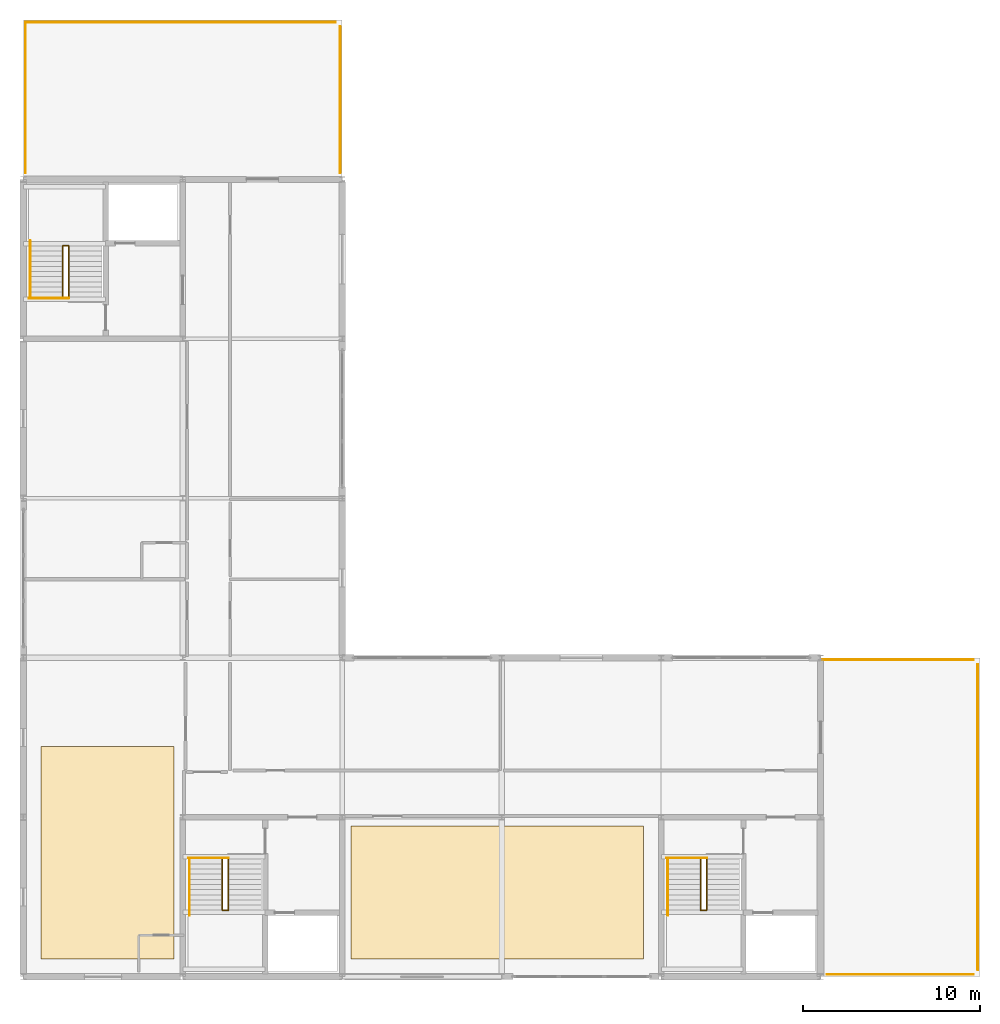
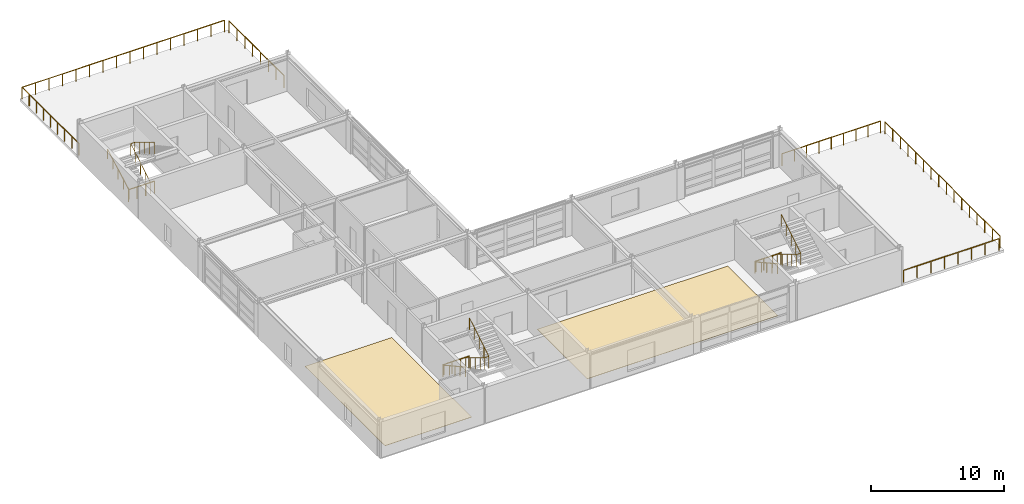
# One storey, part 11 of 11: 15 railings, 2 coverings.
"""IFC4 building model written with IfcOpenShell, lengths in metres."""

from ifc_helpers import new_model, si_unit, direction, frame, origin, origin_2d, place, context, subcontext, project, spatial, polyline, circle, outline, extrude, material, layer, layer_set, type_object, element, save


model = new_model("IFC4")

# Units and contexts
model_context = context("Model", 3, precision=1e-05, world=origin(), true_north=direction((0.0, 1.0)))
body_context = subcontext(model_context, "Body", "Model", "MODEL_VIEW")
ifc_project = project(units=[si_unit("LENGTHUNIT", "METRE"), si_unit("AREAUNIT", "SQUARE_METRE"), si_unit("VOLUMEUNIT", "CUBIC_METRE"), si_unit("PLANEANGLEUNIT", "RADIAN"), si_unit("MASSUNIT", "GRAM", prefix="KILO")], contexts=[model_context])

# Site, building, storey
site_placement = place(None, origin())
site = spatial("IfcSite", under=ifc_project, at=site_placement, CompositionType="ELEMENT")
building_placement = place(site_placement, origin())
building = spatial("IfcBuilding", under=site, at=building_placement, Name="Palais des Congres Ocreval", CompositionType="ELEMENT")
storey_placement = place(building_placement, frame((0.0, 0.0, 26.8798828125)))
storey = spatial("IfcBuildingStorey", under=building, at=storey_placement, Name="L08", CompositionType="ELEMENT", Elevation=26.8798828125)

# Railings
ifc_material_1 = material(Name="Anodized bronze aluminium", Category="aluminium")
railing_type_1 = type_object("IfcRailingType", Name="Bronze Stair and Ramp Handrail 900", PredefinedType="HANDRAIL", material=ifc_material_1)
for number, where, name in (
    (1, (9.3798828125, 6.64990234375, 0.16015625), "Stair Wall Handrail ST01 L08"),
    (2, (36.3798828125, 6.64990234375, 0.16015625), "Stair Wall Handrail ST02 L08"),
):
    element("IfcRailing", number, at=place(storey_placement, frame(where)), inside=storey, type_object=railing_type_1, Name=name, PredefinedType="HANDRAIL", context=body_context, shape_type="SweptSolid", body=[
        extrude(circle(Radius=0.02392578125, at=origin_2d()), frame((0.0, 0.0, 0.8759765625), z_axis=(0.0, -0.875572797087, 0.483086200383), x_axis=(1.0, 0.0, 0.0)), (0.0, 0.0, 1.0), 3.643310546875),
        extrude(circle(Radius=0.02099609375, at=origin_2d()), origin(), (0.0, 0.0, 1.0), 0.851806640625),
        extrude(circle(Radius=0.02099609375, at=origin_2d()), frame((0.0, -0.79736328125, 0.43994140625)), (0.0, 0.0, 1.0), 0.851806640625),
        extrude(circle(Radius=0.02099609375, at=origin_2d()), frame((0.0, -1.594970703125, 0.8798828125)), (0.0, 0.0, 1.0), 0.851806640625),
        extrude(circle(Radius=0.02099609375, at=origin_2d()), frame((0.0, -2.392578125, 1.320068359375)), (0.0, 0.0, 1.0), 0.851806640625),
        extrude(circle(Radius=0.02099609375, at=origin_2d()), frame((0.0, -3.18994140625, 1.760009765625)), (0.0, 0.0, 1.0), 0.851806640625),
    ])
railing_1_placement = place(storey_placement, frame((0.3798828125, 38.35009765625, 0.16015625)))
element("IfcRailing", 3, at=railing_1_placement, inside=storey, type_object=railing_type_1, Name="Stair Wall Handrail ST03 L08", PredefinedType="HANDRAIL", context=body_context, shape_type="SweptSolid", body=[
    extrude(circle(Radius=0.02392578125, at=origin_2d()), frame((0.0, 0.0, 0.8759765625), z_axis=(0.0, 0.875572797087, 0.483086200383), x_axis=(-1.0, 0.0, 0.0)), (0.0, 0.0, 1.0), 3.643310546875),
    extrude(circle(Radius=0.02099609375, at=origin_2d()), origin(), (0.0, 0.0, 1.0), 0.851806640625),
    extrude(circle(Radius=0.02099609375, at=origin_2d()), frame((0.0, 0.79736328125, 0.43994140625)), (0.0, 0.0, 1.0), 0.851806640625),
    extrude(circle(Radius=0.02099609375, at=origin_2d()), frame((0.0, 1.594970703125, 0.8798828125)), (0.0, 0.0, 1.0), 0.851806640625),
    extrude(circle(Radius=0.02099609375, at=origin_2d()), frame((0.0, 2.392578125, 1.320068359375)), (0.0, 0.0, 1.0), 0.851806640625),
    extrude(circle(Radius=0.02099609375, at=origin_2d()), frame((0.0, 3.18994140625, 1.760009765625)), (0.0, 0.0, 1.0), 0.851806640625),
])

# Coverings
ifc_material_2 = material(Name="Solid French oak", Category="wood")
ifc_layer = layer(ifc_material_2, 0.02490234375)
ifc_layer_set = layer_set([ifc_layer], Name="French Oak and Lutetian Stone Flooring 25 (Solid French oak)")
covering_type = type_object("IfcCoveringType", Name="French Oak and Lutetian Stone Flooring 25", PredefinedType="FLOORING", material=ifc_layer_set)
covering_1_placement = place(storey_placement, origin())
element("IfcCovering", 4, at=covering_1_placement, inside=storey, type_object=covering_type, Name="Presidential Suite Herringbone Oak Flooring", PredefinedType="FLOORING", context=body_context, shape_type="SweptSolid", body=[
    extrude(outline(polyline([(1.0, 1.0), (8.5, 1.0), (8.5, 13.0), (1.0, 13.0), (1.0, 1.0)])), origin(), (0.0, 0.0, 1.0), 0.025146484375),
])
covering_2_placement = place(storey_placement, origin())
element("IfcCovering", 5, at=covering_2_placement, inside=storey, type_object=covering_type, Name="Panoramic Restaurant Stone and Oak Flooring", PredefinedType="FLOORING", context=body_context, shape_type="SweptSolid", body=[
    extrude(outline(polyline([(18.5, 1.0), (35.0, 1.0), (35.0, 8.5), (18.5, 8.5), (18.5, 1.0)])), origin(), (0.0, 0.0, 1.0), 0.025146484375),
])

# Railings
ifc_material_3 = material(Name="Steel S355", Category="steel")
railing_type_2 = type_object("IfcRailingType", Name="Stairwell Steel Guardrail 1100", PredefinedType="GUARDRAIL", material=ifc_material_3)
railing_2_placement = place(storey_placement, frame((9.320068359375, 6.699951171875, 0.0)))
element("IfcRailing", 6, at=railing_2_placement, inside=storey, type_object=railing_type_2, Name="Stairwell Landing Edge Guard ST01 L08", PredefinedType="GUARDRAIL", context=body_context, shape_type="SweptSolid", body=[
    extrude(circle(Radius=0.02392578125, at=origin_2d()), frame((0.0, 0.0, 1.076171875), z_axis=(1.0, 0.0, 0.0), x_axis=(0.0, 1.0, 0.0)), (0.0, 0.0, 1.0), 2.25),
    extrude(circle(Radius=0.02099609375, at=origin_2d()), origin(), (0.0, 0.0, 1.0), 1.052001953125),
    extrude(circle(Radius=0.02099609375, at=origin_2d()), frame((0.75, 0.0, 0.0)), (0.0, 0.0, 1.0), 1.052001953125),
    extrude(circle(Radius=0.02099609375, at=origin_2d()), frame((1.5, 0.0, 0.0)), (0.0, 0.0, 1.0), 1.052001953125),
    extrude(circle(Radius=0.02099609375, at=origin_2d()), frame((2.25, 0.0, 0.0)), (0.0, 0.0, 1.0), 1.052001953125),
])
railing_3_placement = place(storey_placement, frame((11.22998046875, 6.64990234375, 0.0)))
element("IfcRailing", 7, at=railing_3_placement, inside=storey, type_object=railing_type_2, Name="Stair Inner Guardrail ST01 L08", PredefinedType="GUARDRAIL", context=body_context, shape_type="SweptSolid", body=[
    extrude(circle(Radius=0.02392578125, at=origin_2d()), frame((0.0, 0.0, 1.076171875), z_axis=(0.0, -0.854871883751, 0.518839148843), x_axis=(1.0, 0.0, 0.0)), (0.0, 0.0, 1.0), 3.39208984375),
    extrude(circle(Radius=0.02392578125, at=origin_2d()), frame((0.0, -2.89990234375, 2.8359375), z_axis=(1.0, 0.0, 0.0), x_axis=(0.0, 1.0, 0.0)), (0.0, 0.0, 1.0), 0.340087890625),
    extrude(circle(Radius=0.02392578125, at=origin_2d()), frame((0.340087890625, -2.89990234375, 2.8359375), z_axis=(0.0, 0.854871883751, 0.518839148843), x_axis=(-1.0, 0.0, 0.0)), (0.0, 0.0, 1.0), 3.39208984375),
    extrude(circle(Radius=0.02099609375, at=origin_2d()), origin(), (0.0, 0.0, 1.0), 1.052001953125),
    extrude(circle(Radius=0.02099609375, at=origin_2d()), frame((0.0, -0.72509765625, 0.43994140625)), (0.0, 0.0, 1.0), 1.052001953125),
    extrude(circle(Radius=0.02099609375, at=origin_2d()), frame((0.0, -1.449951171875, 0.8798828125)), (0.0, 0.0, 1.0), 1.052001953125),
    extrude(circle(Radius=0.02099609375, at=origin_2d()), frame((0.0, -2.1748046875, 1.320068359375)), (0.0, 0.0, 1.0), 1.052001953125),
    extrude(circle(Radius=0.02099609375, at=origin_2d()), frame((0.0, -2.89990234375, 1.760009765625)), (0.0, 0.0, 1.0), 1.052001953125),
    extrude(circle(Radius=0.02099609375, at=origin_2d()), frame((0.340087890625, -2.89990234375, 1.760009765625)), (0.0, 0.0, 1.0), 1.052001953125),
    extrude(circle(Radius=0.02099609375, at=origin_2d()), frame((0.340087890625, -2.1748046875, 2.199951171875)), (0.0, 0.0, 1.0), 1.052001953125),
    extrude(circle(Radius=0.02099609375, at=origin_2d()), frame((0.340087890625, -1.449951171875, 2.64013671875)), (0.0, 0.0, 1.0), 1.052001953125),
    extrude(circle(Radius=0.02099609375, at=origin_2d()), frame((0.340087890625, -0.72509765625, 3.080078125)), (0.0, 0.0, 1.0), 1.052001953125),
    extrude(circle(Radius=0.02099609375, at=origin_2d()), frame((0.340087890625, 0.0, 3.52001953125)), (0.0, 0.0, 1.0), 1.052001953125),
])
railing_4_placement = place(storey_placement, frame((36.320068359375, 6.699951171875, 0.0)))
element("IfcRailing", 8, at=railing_4_placement, inside=storey, type_object=railing_type_2, Name="Stairwell Landing Edge Guard ST02 L08", PredefinedType="GUARDRAIL", context=body_context, shape_type="SweptSolid", body=[
    extrude(circle(Radius=0.02392578125, at=origin_2d()), frame((0.0, 0.0, 1.076171875), z_axis=(1.0, 0.0, 0.0), x_axis=(0.0, 1.0, 0.0)), (0.0, 0.0, 1.0), 2.25),
    extrude(circle(Radius=0.02099609375, at=origin_2d()), origin(), (0.0, 0.0, 1.0), 1.052001953125),
    extrude(circle(Radius=0.02099609375, at=origin_2d()), frame((0.75, 0.0, 0.0)), (0.0, 0.0, 1.0), 1.052001953125),
    extrude(circle(Radius=0.02099609375, at=origin_2d()), frame((1.5, 0.0, 0.0)), (0.0, 0.0, 1.0), 1.052001953125),
    extrude(circle(Radius=0.02099609375, at=origin_2d()), frame((2.25, 0.0, 0.0)), (0.0, 0.0, 1.0), 1.052001953125),
])
railing_5_placement = place(storey_placement, frame((38.22998046875, 6.64990234375, 0.0)))
element("IfcRailing", 9, at=railing_5_placement, inside=storey, type_object=railing_type_2, Name="Stair Inner Guardrail ST02 L08", PredefinedType="GUARDRAIL", context=body_context, shape_type="SweptSolid", body=[
    extrude(circle(Radius=0.02392578125, at=origin_2d()), frame((0.0, 0.0, 1.076171875), z_axis=(0.0, -0.854871883751, 0.518839148843), x_axis=(1.0, 0.0, 0.0)), (0.0, 0.0, 1.0), 3.39208984375),
    extrude(circle(Radius=0.02392578125, at=origin_2d()), frame((0.0, -2.89990234375, 2.8359375), z_axis=(1.0, 0.0, 0.0), x_axis=(0.0, 1.0, 0.0)), (0.0, 0.0, 1.0), 0.340087890625),
    extrude(circle(Radius=0.02392578125, at=origin_2d()), frame((0.340087890625, -2.89990234375, 2.8359375), z_axis=(0.0, 0.854871883751, 0.518839148843), x_axis=(-1.0, 0.0, 0.0)), (0.0, 0.0, 1.0), 3.39208984375),
    extrude(circle(Radius=0.02099609375, at=origin_2d()), origin(), (0.0, 0.0, 1.0), 1.052001953125),
    extrude(circle(Radius=0.02099609375, at=origin_2d()), frame((0.0, -0.72509765625, 0.43994140625)), (0.0, 0.0, 1.0), 1.052001953125),
    extrude(circle(Radius=0.02099609375, at=origin_2d()), frame((0.0, -1.449951171875, 0.8798828125)), (0.0, 0.0, 1.0), 1.052001953125),
    extrude(circle(Radius=0.02099609375, at=origin_2d()), frame((0.0, -2.1748046875, 1.320068359375)), (0.0, 0.0, 1.0), 1.052001953125),
    extrude(circle(Radius=0.02099609375, at=origin_2d()), frame((0.0, -2.89990234375, 1.760009765625)), (0.0, 0.0, 1.0), 1.052001953125),
    extrude(circle(Radius=0.02099609375, at=origin_2d()), frame((0.340087890625, -2.89990234375, 1.760009765625)), (0.0, 0.0, 1.0), 1.052001953125),
    extrude(circle(Radius=0.02099609375, at=origin_2d()), frame((0.340087890625, -2.1748046875, 2.199951171875)), (0.0, 0.0, 1.0), 1.052001953125),
    extrude(circle(Radius=0.02099609375, at=origin_2d()), frame((0.340087890625, -1.449951171875, 2.64013671875)), (0.0, 0.0, 1.0), 1.052001953125),
    extrude(circle(Radius=0.02099609375, at=origin_2d()), frame((0.340087890625, -0.72509765625, 3.080078125)), (0.0, 0.0, 1.0), 1.052001953125),
    extrude(circle(Radius=0.02099609375, at=origin_2d()), frame((0.340087890625, 0.0, 3.52001953125)), (0.0, 0.0, 1.0), 1.052001953125),
])
railing_6_placement = place(storey_placement, frame((0.320068359375, 38.300048828125, 0.0)))
element("IfcRailing", 10, at=railing_6_placement, inside=storey, type_object=railing_type_2, Name="Stairwell Landing Edge Guard ST03 L08", PredefinedType="GUARDRAIL", context=body_context, shape_type="SweptSolid", body=[
    extrude(circle(Radius=0.02392578125, at=origin_2d()), frame((0.0, 0.0, 1.076171875), z_axis=(1.0, 0.0, 0.0), x_axis=(0.0, 1.0, 0.0)), (0.0, 0.0, 1.0), 2.25),
    extrude(circle(Radius=0.02099609375, at=origin_2d()), origin(), (0.0, 0.0, 1.0), 1.052001953125),
    extrude(circle(Radius=0.02099609375, at=origin_2d()), frame((0.75, 0.0, 0.0)), (0.0, 0.0, 1.0), 1.052001953125),
    extrude(circle(Radius=0.02099609375, at=origin_2d()), frame((1.5, 0.0, 0.0)), (0.0, 0.0, 1.0), 1.052001953125),
    extrude(circle(Radius=0.02099609375, at=origin_2d()), frame((2.25, 0.0, 0.0)), (0.0, 0.0, 1.0), 1.052001953125),
])
railing_7_placement = place(storey_placement, frame((2.22998046875, 38.35009765625, 0.0)))
element("IfcRailing", 11, at=railing_7_placement, inside=storey, type_object=railing_type_2, Name="Stair Inner Guardrail ST03 L08", PredefinedType="GUARDRAIL", context=body_context, shape_type="SweptSolid", body=[
    extrude(circle(Radius=0.02392578125, at=origin_2d()), frame((0.0, 0.0, 1.076171875), z_axis=(0.0, 0.854871883751, 0.518839148843), x_axis=(-1.0, 0.0, 0.0)), (0.0, 0.0, 1.0), 3.39208984375),
    extrude(circle(Radius=0.02392578125, at=origin_2d()), frame((0.0, 2.89990234375, 2.8359375), z_axis=(1.0, 0.0, 0.0), x_axis=(0.0, 1.0, 0.0)), (0.0, 0.0, 1.0), 0.340087890625),
    extrude(circle(Radius=0.02392578125, at=origin_2d()), frame((0.340087890625, 2.89990234375, 2.8359375), z_axis=(0.0, -0.854871883751, 0.518839148843), x_axis=(1.0, 0.0, 0.0)), (0.0, 0.0, 1.0), 3.39208984375),
    extrude(circle(Radius=0.02099609375, at=origin_2d()), origin(), (0.0, 0.0, 1.0), 1.052001953125),
    extrude(circle(Radius=0.02099609375, at=origin_2d()), frame((0.0, 0.72509765625, 0.43994140625)), (0.0, 0.0, 1.0), 1.052001953125),
    extrude(circle(Radius=0.02099609375, at=origin_2d()), frame((0.0, 1.449951171875, 0.8798828125)), (0.0, 0.0, 1.0), 1.052001953125),
    extrude(circle(Radius=0.02099609375, at=origin_2d()), frame((0.0, 2.1748046875, 1.320068359375)), (0.0, 0.0, 1.0), 1.052001953125),
    extrude(circle(Radius=0.02099609375, at=origin_2d()), frame((0.0, 2.89990234375, 1.760009765625)), (0.0, 0.0, 1.0), 1.052001953125),
    extrude(circle(Radius=0.02099609375, at=origin_2d()), frame((0.340087890625, 2.89990234375, 1.760009765625)), (0.0, 0.0, 1.0), 1.052001953125),
    extrude(circle(Radius=0.02099609375, at=origin_2d()), frame((0.340087890625, 2.1748046875, 2.199951171875)), (0.0, 0.0, 1.0), 1.052001953125),
    extrude(circle(Radius=0.02099609375, at=origin_2d()), frame((0.340087890625, 1.449951171875, 2.64013671875)), (0.0, 0.0, 1.0), 1.052001953125),
    extrude(circle(Radius=0.02099609375, at=origin_2d()), frame((0.340087890625, 0.72509765625, 3.080078125)), (0.0, 0.0, 1.0), 1.052001953125),
    extrude(circle(Radius=0.02099609375, at=origin_2d()), frame((0.340087890625, 0.0, 3.52001953125)), (0.0, 0.0, 1.0), 1.052001953125),
])
railing_type_3 = type_object("IfcRailingType", Name="Terrace Bronze Balustrade 1100", PredefinedType="BALUSTRADE", material=ifc_material_1)
railing_8_placement = place(storey_placement, frame((45.3798828125, 0.1201171875, 0.0)))
element("IfcRailing", 12, at=railing_8_placement, inside=storey, type_object=railing_type_3, Name="Terrace Guard Balustrade TER-L08-V4E-1", PredefinedType="BALUSTRADE", context=body_context, shape_type="SweptSolid", body=[
    extrude(circle(Radius=0.02392578125, at=origin_2d()), frame((0.0, 0.0, 1.076171875), z_axis=(1.0, 0.0, 0.0), x_axis=(0.0, 1.0, 0.0)), (0.0, 0.0, 1.0), 8.240234375),
    extrude(circle(Radius=0.02099609375, at=origin_2d()), origin(), (0.0, 0.0, 1.0), 1.052001953125),
    extrude(circle(Radius=0.02099609375, at=origin_2d()), frame((1.17724609375, 0.0, 0.0)), (0.0, 0.0, 1.0), 1.052001953125),
    extrude(circle(Radius=0.02099609375, at=origin_2d()), frame((2.354248046875, 0.0, 0.0)), (0.0, 0.0, 1.0), 1.052001953125),
    extrude(circle(Radius=0.02099609375, at=origin_2d()), frame((3.531494140625, 0.0, 0.0)), (0.0, 0.0, 1.0), 1.052001953125),
    extrude(circle(Radius=0.02099609375, at=origin_2d()), frame((4.708740234375, 0.0, 0.0)), (0.0, 0.0, 1.0), 1.052001953125),
    extrude(circle(Radius=0.02099609375, at=origin_2d()), frame((5.885986328125, 0.0, 0.0)), (0.0, 0.0, 1.0), 1.052001953125),
    extrude(circle(Radius=0.02099609375, at=origin_2d()), frame((7.06298828125, 0.0, 0.0)), (0.0, 0.0, 1.0), 1.052001953125),
    extrude(circle(Radius=0.02099609375, at=origin_2d()), frame((8.240234375, 0.0, 0.0)), (0.0, 0.0, 1.0), 1.052001953125),
])
railing_9_placement = place(storey_placement, frame((53.8798828125, 0.3798828125, 0.0)))
element("IfcRailing", 13, at=railing_9_placement, inside=storey, type_object=railing_type_3, Name="Terrace Guard Balustrade TER-L08-V4E-2", PredefinedType="BALUSTRADE", context=body_context, shape_type="SweptSolid", body=[
    extrude(circle(Radius=0.02392578125, at=origin_2d()), frame((0.0, 0.0, 1.076171875), z_axis=(0.0, 1.0, 0.0), x_axis=(-1.0, 0.0, 0.0)), (0.0, 0.0, 1.0), 17.240234375),
    extrude(circle(Radius=0.02099609375, at=origin_2d()), origin(), (0.0, 0.0, 1.0), 1.052001953125),
    extrude(circle(Radius=0.02099609375, at=origin_2d()), frame((0.0, 1.1494140625, 0.0)), (0.0, 0.0, 1.0), 1.052001953125),
    extrude(circle(Radius=0.02099609375, at=origin_2d()), frame((0.0, 2.298583984375, 0.0)), (0.0, 0.0, 1.0), 1.052001953125),
    extrude(circle(Radius=0.02099609375, at=origin_2d()), frame((0.0, 3.447998046875, 0.0)), (0.0, 0.0, 1.0), 1.052001953125),
    extrude(circle(Radius=0.02099609375, at=origin_2d()), frame((0.0, 4.597412109375, 0.0)), (0.0, 0.0, 1.0), 1.052001953125),
    extrude(circle(Radius=0.02099609375, at=origin_2d()), frame((0.0, 5.746826171875, 0.0)), (0.0, 0.0, 1.0), 1.052001953125),
    extrude(circle(Radius=0.02099609375, at=origin_2d()), frame((0.0, 6.89599609375, 0.0)), (0.0, 0.0, 1.0), 1.052001953125),
    extrude(circle(Radius=0.02099609375, at=origin_2d()), frame((0.0, 8.04541015625, 0.0)), (0.0, 0.0, 1.0), 1.052001953125),
    extrude(circle(Radius=0.02099609375, at=origin_2d()), frame((0.0, 9.19482421875, 0.0)), (0.0, 0.0, 1.0), 1.052001953125),
    extrude(circle(Radius=0.02099609375, at=origin_2d()), frame((0.0, 10.34423828125, 0.0)), (0.0, 0.0, 1.0), 1.052001953125),
    extrude(circle(Radius=0.02099609375, at=origin_2d()), frame((0.0, 11.493408203125, 0.0)), (0.0, 0.0, 1.0), 1.052001953125),
    extrude(circle(Radius=0.02099609375, at=origin_2d()), frame((0.0, 12.642822265625, 0.0)), (0.0, 0.0, 1.0), 1.052001953125),
    extrude(circle(Radius=0.02099609375, at=origin_2d()), frame((0.0, 13.792236328125, 0.0)), (0.0, 0.0, 1.0), 1.052001953125),
    extrude(circle(Radius=0.02099609375, at=origin_2d()), frame((0.0, 14.941650390625, 0.0)), (0.0, 0.0, 1.0), 1.052001953125),
    extrude(circle(Radius=0.02099609375, at=origin_2d()), frame((0.0, 16.0908203125, 0.0)), (0.0, 0.0, 1.0), 1.052001953125),
    extrude(circle(Radius=0.02099609375, at=origin_2d()), frame((0.0, 17.240234375, 0.0)), (0.0, 0.0, 1.0), 1.052001953125),
])
railing_10_placement = place(storey_placement, frame((53.6201171875, 17.8798828125, 0.0)))
element("IfcRailing", 14, at=railing_10_placement, inside=storey, type_object=railing_type_3, Name="Terrace Guard Balustrade TER-L08-V4E-3", PredefinedType="BALUSTRADE", context=body_context, shape_type="SweptSolid", body=[
    extrude(circle(Radius=0.02392578125, at=origin_2d()), frame((0.0, 0.0, 1.076171875), z_axis=(-1.0, 0.0, 0.0), x_axis=(0.0, -1.0, 0.0)), (0.0, 0.0, 1.0), 8.5),
    extrude(circle(Radius=0.02099609375, at=origin_2d()), origin(), (0.0, 0.0, 1.0), 1.052001953125),
    extrude(circle(Radius=0.02099609375, at=origin_2d()), frame((-1.0625, 0.0, 0.0)), (0.0, 0.0, 1.0), 1.052001953125),
    extrude(circle(Radius=0.02099609375, at=origin_2d()), frame((-2.125, 0.0, 0.0)), (0.0, 0.0, 1.0), 1.052001953125),
    extrude(circle(Radius=0.02099609375, at=origin_2d()), frame((-3.1875, 0.0, 0.0)), (0.0, 0.0, 1.0), 1.052001953125),
    extrude(circle(Radius=0.02099609375, at=origin_2d()), frame((-4.25, 0.0, 0.0)), (0.0, 0.0, 1.0), 1.052001953125),
    extrude(circle(Radius=0.02099609375, at=origin_2d()), frame((-5.3125, 0.0, 0.0)), (0.0, 0.0, 1.0), 1.052001953125),
    extrude(circle(Radius=0.02099609375, at=origin_2d()), frame((-6.375, 0.0, 0.0)), (0.0, 0.0, 1.0), 1.052001953125),
    extrude(circle(Radius=0.02099609375, at=origin_2d()), frame((-7.4375, 0.0, 0.0)), (0.0, 0.0, 1.0), 1.052001953125),
    extrude(circle(Radius=0.02099609375, at=origin_2d()), frame((-8.5, 0.0, 0.0)), (0.0, 0.0, 1.0), 1.052001953125),
])
railing_11_placement = place(storey_placement, frame((17.8798828125, 45.3798828125, 0.0)))
element("IfcRailing", 15, at=railing_11_placement, inside=storey, type_object=railing_type_3, Name="Terrace Guard Balustrade TER-L08-V4N-2", PredefinedType="BALUSTRADE", context=body_context, shape_type="SweptSolid", body=[
    extrude(circle(Radius=0.02392578125, at=origin_2d()), frame((0.0, 0.0, 1.076171875), z_axis=(0.0, 1.0, 0.0), x_axis=(-1.0, 0.0, 0.0)), (0.0, 0.0, 1.0), 8.240234375),
    extrude(circle(Radius=0.02099609375, at=origin_2d()), origin(), (0.0, 0.0, 1.0), 1.052001953125),
    extrude(circle(Radius=0.02099609375, at=origin_2d()), frame((0.0, 1.17724609375, 0.0)), (0.0, 0.0, 1.0), 1.052001953125),
    extrude(circle(Radius=0.02099609375, at=origin_2d()), frame((0.0, 2.354248046875, 0.0)), (0.0, 0.0, 1.0), 1.052001953125),
    extrude(circle(Radius=0.02099609375, at=origin_2d()), frame((0.0, 3.531494140625, 0.0)), (0.0, 0.0, 1.0), 1.052001953125),
    extrude(circle(Radius=0.02099609375, at=origin_2d()), frame((0.0, 4.708740234375, 0.0)), (0.0, 0.0, 1.0), 1.052001953125),
    extrude(circle(Radius=0.02099609375, at=origin_2d()), frame((0.0, 5.885986328125, 0.0)), (0.0, 0.0, 1.0), 1.052001953125),
    extrude(circle(Radius=0.02099609375, at=origin_2d()), frame((0.0, 7.06298828125, 0.0)), (0.0, 0.0, 1.0), 1.052001953125),
    extrude(circle(Radius=0.02099609375, at=origin_2d()), frame((0.0, 8.240234375, 0.0)), (0.0, 0.0, 1.0), 1.052001953125),
])
railing_12_placement = place(storey_placement, frame((17.6201171875, 53.8798828125, 0.0)))
element("IfcRailing", 16, at=railing_12_placement, inside=storey, type_object=railing_type_3, Name="Terrace Guard Balustrade TER-L08-V4N-3", PredefinedType="BALUSTRADE", context=body_context, shape_type="SweptSolid", body=[
    extrude(circle(Radius=0.02392578125, at=origin_2d()), frame((0.0, 0.0, 1.076171875), z_axis=(-1.0, 0.0, 0.0), x_axis=(0.0, -1.0, 0.0)), (0.0, 0.0, 1.0), 17.5),
    extrude(circle(Radius=0.02099609375, at=origin_2d()), origin(), (0.0, 0.0, 1.0), 1.052001953125),
    extrude(circle(Radius=0.02099609375, at=origin_2d()), frame((-1.166748046875, 0.0, 0.0)), (0.0, 0.0, 1.0), 1.052001953125),
    extrude(circle(Radius=0.02099609375, at=origin_2d()), frame((-2.333251953125, 0.0, 0.0)), (0.0, 0.0, 1.0), 1.052001953125),
    extrude(circle(Radius=0.02099609375, at=origin_2d()), frame((-3.5, 0.0, 0.0)), (0.0, 0.0, 1.0), 1.052001953125),
    extrude(circle(Radius=0.02099609375, at=origin_2d()), frame((-4.666748046875, 0.0, 0.0)), (0.0, 0.0, 1.0), 1.052001953125),
    extrude(circle(Radius=0.02099609375, at=origin_2d()), frame((-5.833251953125, 0.0, 0.0)), (0.0, 0.0, 1.0), 1.052001953125),
    extrude(circle(Radius=0.02099609375, at=origin_2d()), frame((-7.0, 0.0, 0.0)), (0.0, 0.0, 1.0), 1.052001953125),
    extrude(circle(Radius=0.02099609375, at=origin_2d()), frame((-8.166748046875, 0.0, 0.0)), (0.0, 0.0, 1.0), 1.052001953125),
    extrude(circle(Radius=0.02099609375, at=origin_2d()), frame((-9.333251953125, 0.0, 0.0)), (0.0, 0.0, 1.0), 1.052001953125),
    extrude(circle(Radius=0.02099609375, at=origin_2d()), frame((-10.5, 0.0, 0.0)), (0.0, 0.0, 1.0), 1.052001953125),
    extrude(circle(Radius=0.02099609375, at=origin_2d()), frame((-11.666748046875, 0.0, 0.0)), (0.0, 0.0, 1.0), 1.052001953125),
    extrude(circle(Radius=0.02099609375, at=origin_2d()), frame((-12.833251953125, 0.0, 0.0)), (0.0, 0.0, 1.0), 1.052001953125),
    extrude(circle(Radius=0.02099609375, at=origin_2d()), frame((-14.0, 0.0, 0.0)), (0.0, 0.0, 1.0), 1.052001953125),
    extrude(circle(Radius=0.02099609375, at=origin_2d()), frame((-15.166748046875, 0.0, 0.0)), (0.0, 0.0, 1.0), 1.052001953125),
    extrude(circle(Radius=0.02099609375, at=origin_2d()), frame((-16.333251953125, 0.0, 0.0)), (0.0, 0.0, 1.0), 1.052001953125),
    extrude(circle(Radius=0.02099609375, at=origin_2d()), frame((-17.5, 0.0, 0.0)), (0.0, 0.0, 1.0), 1.052001953125),
])
railing_13_placement = place(storey_placement, frame((0.1201171875, 53.8798828125, 0.0)))
element("IfcRailing", 17, at=railing_13_placement, inside=storey, type_object=railing_type_3, Name="Terrace Guard Balustrade TER-L08-V4N-4", PredefinedType="BALUSTRADE", context=body_context, shape_type="SweptSolid", body=[
    extrude(circle(Radius=0.02392578125, at=origin_2d()), frame((0.0, 0.0, 1.076171875), z_axis=(0.0, -1.0, 0.0), x_axis=(1.0, 0.0, 0.0)), (0.0, 0.0, 1.0), 8.5),
    extrude(circle(Radius=0.02099609375, at=origin_2d()), origin(), (0.0, 0.0, 1.0), 1.052001953125),
    extrude(circle(Radius=0.02099609375, at=origin_2d()), frame((0.0, -1.0625, 0.0)), (0.0, 0.0, 1.0), 1.052001953125),
    extrude(circle(Radius=0.02099609375, at=origin_2d()), frame((0.0, -2.125, 0.0)), (0.0, 0.0, 1.0), 1.052001953125),
    extrude(circle(Radius=0.02099609375, at=origin_2d()), frame((0.0, -3.1875, 0.0)), (0.0, 0.0, 1.0), 1.052001953125),
    extrude(circle(Radius=0.02099609375, at=origin_2d()), frame((0.0, -4.25, 0.0)), (0.0, 0.0, 1.0), 1.052001953125),
    extrude(circle(Radius=0.02099609375, at=origin_2d()), frame((0.0, -5.3125, 0.0)), (0.0, 0.0, 1.0), 1.052001953125),
    extrude(circle(Radius=0.02099609375, at=origin_2d()), frame((0.0, -6.375, 0.0)), (0.0, 0.0, 1.0), 1.052001953125),
    extrude(circle(Radius=0.02099609375, at=origin_2d()), frame((0.0, -7.4375, 0.0)), (0.0, 0.0, 1.0), 1.052001953125),
    extrude(circle(Radius=0.02099609375, at=origin_2d()), frame((0.0, -8.5, 0.0)), (0.0, 0.0, 1.0), 1.052001953125),
])

save(model, "model.ifc")
